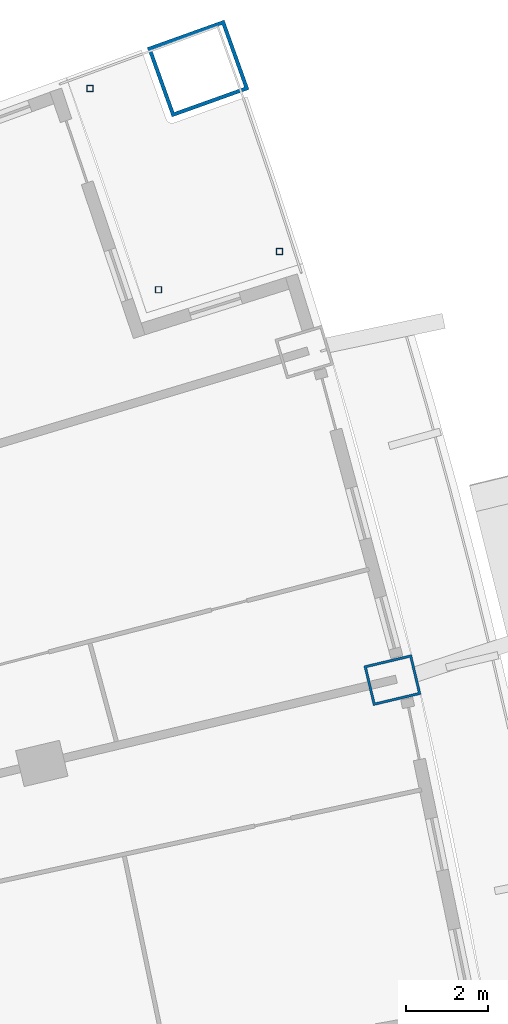
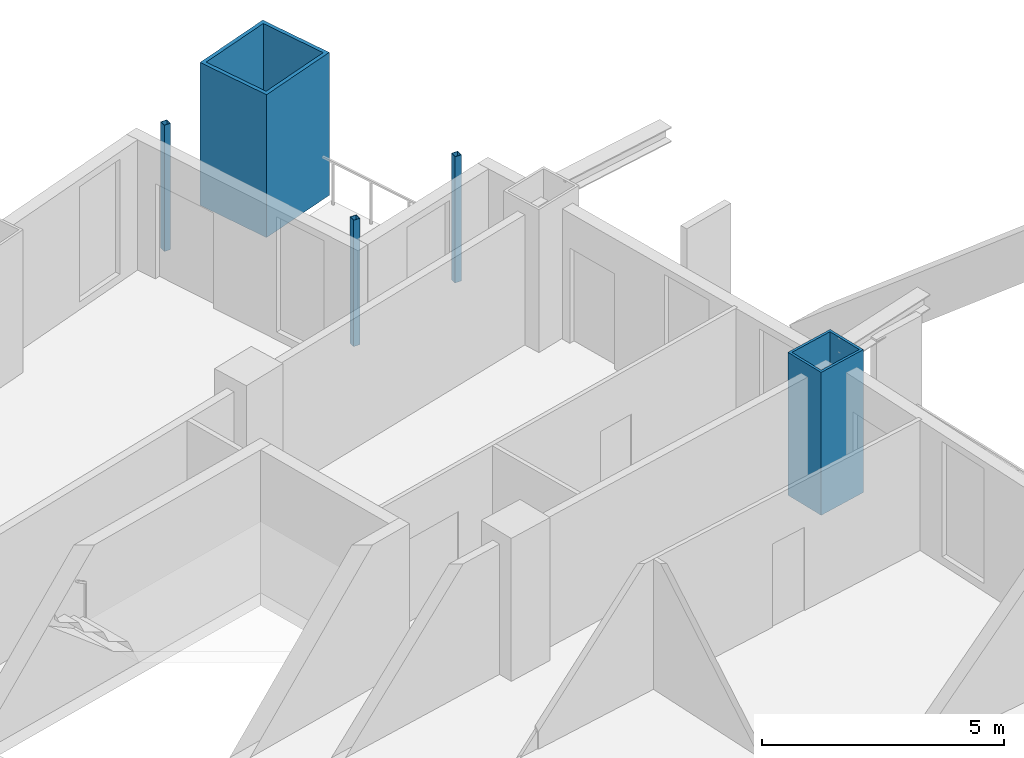
# One storey, part 11 of 25: 5 columns.
"""IFC4 building model written with IfcOpenShell, lengths in metres."""

from ifc_helpers import new_model, si_unit, direction, frame, origin, origin_2d, place, context, subcontext, project, spatial, hollow_rectangle, extrude, material, material_profile, profile_set, type_object, element, save


model = new_model("IFC4")

# Units and contexts
model_context = context("Model", 3, precision=1e-05, world=origin(), true_north=direction((0.0, 1.0)))
body_context = subcontext(model_context, "Body", "Model", "MODEL_VIEW")
ifc_project = project(units=[si_unit("LENGTHUNIT", "METRE"), si_unit("AREAUNIT", "SQUARE_METRE"), si_unit("VOLUMEUNIT", "CUBIC_METRE"), si_unit("PLANEANGLEUNIT", "RADIAN"), si_unit("MASSUNIT", "GRAM", prefix="KILO")], contexts=[model_context])

# Site, building, storey
site_placement = place(None, origin())
site = spatial("IfcSite", under=ifc_project, at=site_placement, CompositionType="ELEMENT")
building_placement = place(site_placement, origin())
building = spatial("IfcBuilding", under=site, at=building_placement, Name="Alderwake Tower", CompositionType="ELEMENT")
storey_placement = place(building_placement, frame((0.0, 0.0, 64.39990234375)))
storey = spatial("IfcBuildingStorey", under=building, at=storey_placement, Name="L15", CompositionType="ELEMENT", Elevation=64.39990234375)

# Columns
ifc_material_1 = material(Name="Steel ASTM A500 Grade C", Category="steel")
ifc_material_profile_1 = material_profile(ifc_material_1, hollow_rectangle(XDim=0.15234375, YDim=0.15234375, WallThickness=0.0087890625, at=origin_2d()), Name="HSS6X6X3/8")
ifc_profile_set_1 = profile_set([ifc_material_profile_1], Name="Steel ASTM A500 Grade C")
column_type_1 = type_object("IfcColumnType", Name="Light post HSS6X6X3/8", PredefinedType="COLUMN", material=ifc_profile_set_1)
for number, where, z_axis, x_axis, name in (
    (1, (55.590087890625, 104.34521484375, 0.0), (0.0, 0.0, 1.0), (1.0, 0.0, 0.0), "Terrace post FN1"),
    (2, (50.961181640625, 108.32568359375, 0.0), (0.0, 0.0, 1.0), (1.0, 0.0, 0.0), "Terrace post FN2"),
    (3, (52.634521484375, 103.41064453125, 0.0), (0.0, 0.0, 1.0), (1.0, 0.0, 0.0), "Terrace post FN3"),
):
    element("IfcColumn", number, at=place(storey_placement, frame(where, z_axis=z_axis, x_axis=x_axis)), inside=storey, type_object=column_type_1, Name=name, PredefinedType="COLUMN", context=body_context, shape_type="SweptSolid", body=[
        extrude(hollow_rectangle(XDim=0.15234375, YDim=0.15234375, WallThickness=0.0087890625, at=origin_2d()), origin(), (0.0, 0.0, 1.0), 3.18017578125),
    ])
ifc_material_2 = material(Name="Steel ASTM A572 Grade 50 concrete filled C70/85", Category="concrete")
ifc_material_profile_2 = material_profile(ifc_material_2, hollow_rectangle(XDim=1.800048828125, YDim=2.0, WallThickness=0.090087890625, at=origin_2d()), Name="BOX 2000X1800X90")
ifc_profile_set_2 = profile_set([ifc_material_profile_2], Name="Steel ASTM A572 Grade 50 concrete filled C70/85")
column_type_2 = type_object("IfcColumnType", Name="Mega column Z1", PredefinedType="COLUMN", material=ifc_profile_set_2)
column_1_placement = place(storey_placement, frame((53.602294921875, 108.8125, 0.0), z_axis=(0.0, 0.0, 1.0), x_axis=(-0.336945725149, 0.941524072079, 0.0)))
element("IfcColumn", 4, at=column_1_placement, inside=storey, type_object=column_type_2, Name="Column R13-C5", PredefinedType="COLUMN", context=body_context, shape_type="SweptSolid", body=[
    extrude(hollow_rectangle(XDim=1.800048828125, YDim=2.0, WallThickness=0.090087890625, at=origin_2d()), origin(), (0.0, 0.0, 1.0), 3.60009765625),
])
ifc_material_3 = material(Name="Steel ASTM A572 Grade 50 concrete filled C70/85", Category="concrete")
ifc_material_profile_3 = material_profile(ifc_material_3, hollow_rectangle(XDim=1.0, YDim=1.199951171875, WallThickness=0.06005859375, at=origin_2d()), Name="BOX 1200X1000X60")
ifc_profile_set_3 = profile_set([ifc_material_profile_3], Name="Steel ASTM A572 Grade 50 concrete filled C70/85")
column_type_3 = type_object("IfcColumnType", Name="Perimeter column Z1", PredefinedType="COLUMN", material=ifc_profile_set_3)
column_2_placement = place(storey_placement, frame((58.346435546875, 93.879638671875, 0.0), z_axis=(0.0, 0.0, 1.0), x_axis=(-0.231221547198, 0.972901123502, 0.0)))
element("IfcColumn", 5, at=column_2_placement, inside=storey, type_object=column_type_3, Name="Column R11-C5", PredefinedType="COLUMN", context=body_context, shape_type="SweptSolid", body=[
    extrude(hollow_rectangle(XDim=1.0, YDim=1.199951171875, WallThickness=0.06005859375, at=origin_2d()), origin(), (0.0, 0.0, 1.0), 3.60009765625),
])

save(model, "model.ifc")
